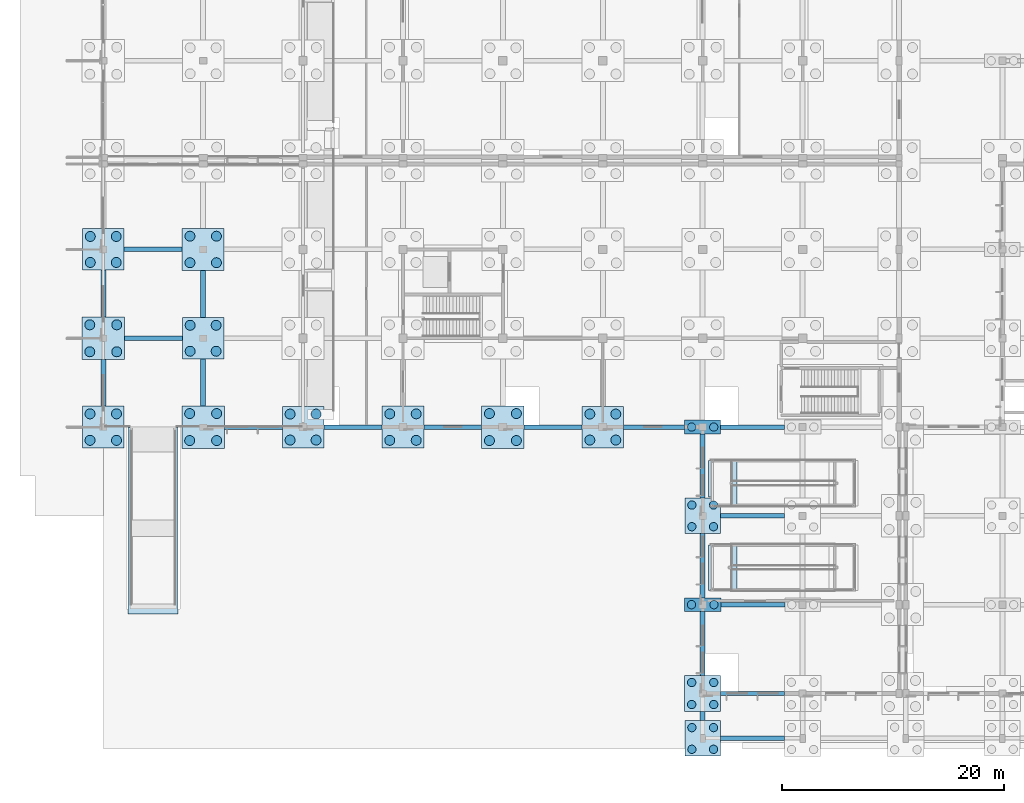
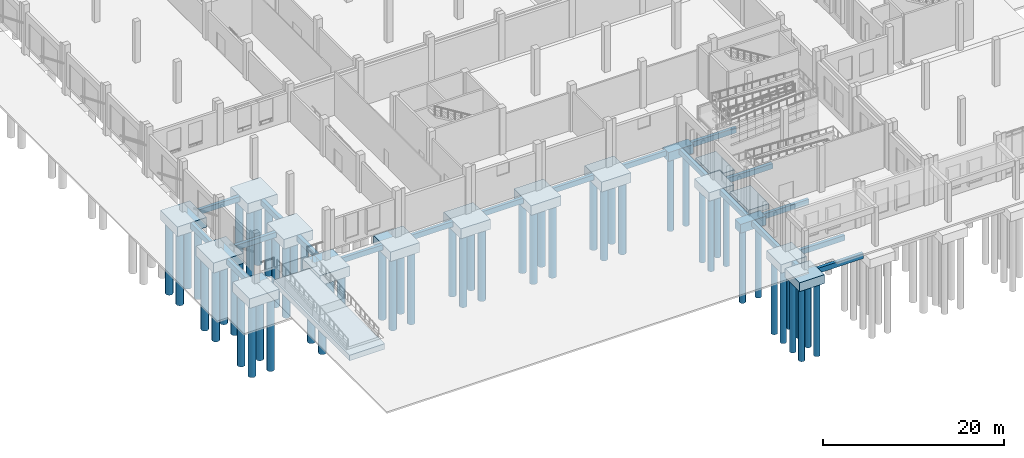
# One storey, part 1 of 99: 56 piles, 38 footings.
"""IFC4 building model written with IfcOpenShell, lengths in metres."""

from ifc_helpers import new_model, si_unit, direction, frame, origin, origin_2d, place, context, subcontext, project, spatial, polyline, rectangle, circle, outline, extrude, material, layer, layer_set, material_profile, profile_set, type_object, element, save


model = new_model("IFC4")

# Units and contexts
model_context = context("Model", 3, precision=1e-05, world=origin(), true_north=direction((0.0, 1.0)))
body_context = subcontext(model_context, "Body", "Model", "MODEL_VIEW")
ifc_project = project(units=[si_unit("LENGTHUNIT", "METRE"), si_unit("AREAUNIT", "SQUARE_METRE"), si_unit("VOLUMEUNIT", "CUBIC_METRE"), si_unit("PLANEANGLEUNIT", "RADIAN"), si_unit("MASSUNIT", "GRAM", prefix="KILO")], contexts=[model_context])

# Site, building, storey
site_placement = place(None, origin())
site = spatial("IfcSite", under=ifc_project, at=site_placement, CompositionType="ELEMENT")
building_placement = place(site_placement, origin())
building = spatial("IfcBuilding", under=site, at=building_placement, Name="Zacnel Wholesale Market", CompositionType="ELEMENT")
storey_placement = place(building_placement, origin())
storey = spatial("IfcBuildingStorey", under=building, at=storey_placement, Name="L01", CompositionType="ELEMENT", Elevation=0.0)

# Footings
ifc_material_1 = material(Name="Concrete C35/45", Category="concrete")
ifc_material_profile_1 = material_profile(ifc_material_1, rectangle(XDim=0.39990234375, YDim=0.699951171875, at=origin_2d()), Name="CT 400x700")
ifc_profile_set_1 = profile_set([ifc_material_profile_1], Name="Concrete C35/45")
footing_type_1 = type_object("IfcFootingType", Name="FTG-CT400X700", PredefinedType="FOOTING_BEAM", material=ifc_profile_set_1)
footing_1_placement = place(storey_placement, frame((55.60009765625, -4.050048828125, -0.85009765625), z_axis=(1.0, 0.0, 0.0), x_axis=(0.0, 1.0, 0.0)))
element("IfcFooting", 1, at=footing_1_placement, inside=storey, type_object=footing_type_1, Name="Ground tie beam CT-X-0246", PredefinedType="FOOTING_BEAM", context=body_context, shape_type="SweptSolid", body=[
    extrude(rectangle(XDim=0.39990234375, YDim=0.699951171875, at=origin_2d()), origin(), (0.0, 0.0, 1.0), 5.77978515625),
])
footing_2_placement = place(storey_placement, frame((55.6201171875, 0.0, -0.85009765625), z_axis=(1.0, 0.0, 0.0), x_axis=(0.0, 1.0, 0.0)))
element("IfcFooting", 2, at=footing_2_placement, inside=storey, type_object=footing_type_1, Name="Ground tie beam CT-X-0251", PredefinedType="FOOTING_BEAM", context=body_context, shape_type="SweptSolid", body=[
    extrude(rectangle(XDim=0.39990234375, YDim=0.699951171875, at=origin_2d()), origin(), (0.0, 0.0, 1.0), 5.744873046875),
])
footing_3_placement = place(storey_placement, frame((55.635009765625, 8.0, -0.85009765625), z_axis=(1.0, 0.0, 0.0), x_axis=(0.0, 1.0, 0.0)))
element("IfcFooting", 3, at=footing_3_placement, inside=storey, type_object=footing_type_1, Name="Ground tie beam CT-X-0267", PredefinedType="FOOTING_BEAM", context=body_context, shape_type="SweptSolid", body=[
    extrude(rectangle(XDim=0.39990234375, YDim=0.699951171875, at=origin_2d()), origin(), (0.0, 0.0, 1.0), 5.764892578125),
])
footing_4_placement = place(storey_placement, frame((55.60009765625, 16.0, -0.85009765625), z_axis=(1.0, 0.0, 0.0), x_axis=(0.0, 1.0, 0.0)))
element("IfcFooting", 4, at=footing_4_placement, inside=storey, type_object=footing_type_1, Name="Ground tie beam CT-X-0283", PredefinedType="FOOTING_BEAM", context=body_context, shape_type="SweptSolid", body=[
    extrude(rectangle(XDim=0.39990234375, YDim=0.699951171875, at=origin_2d()), origin(), (0.0, 0.0, 1.0), 5.77978515625),
])
footing_5_placement = place(storey_placement, frame((10.9150390625, 24.0, -0.85009765625), z_axis=(1.0, 0.0, 0.0), x_axis=(0.0, 1.0, 0.0)))
element("IfcFooting", 5, at=footing_5_placement, inside=storey, type_object=footing_type_1, Name="Ground tie beam CT-X-0298", PredefinedType="FOOTING_BEAM", context=body_context, shape_type="SweptSolid", body=[
    extrude(rectangle(XDim=0.39990234375, YDim=0.699951171875, at=origin_2d()), origin(), (0.0, 0.0, 1.0), 5.21484375),
])
footing_6_placement = place(storey_placement, frame((19.8701171875, 24.0, -0.85009765625), z_axis=(1.0, 0.0, 0.0), x_axis=(0.0, 1.0, 0.0)))
element("IfcFooting", 6, at=footing_6_placement, inside=storey, type_object=footing_type_1, Name="Ground tie beam CT-X-0299", PredefinedType="FOOTING_BEAM", context=body_context, shape_type="SweptSolid", body=[
    extrude(rectangle(XDim=0.39990234375, YDim=0.699951171875, at=origin_2d()), origin(), (0.0, 0.0, 1.0), 5.239990234375),
])
footing_7_placement = place(storey_placement, frame((28.889892578125, 24.0, -0.85009765625), z_axis=(1.0, 0.0, 0.0), x_axis=(0.0, 1.0, 0.0)))
element("IfcFooting", 7, at=footing_7_placement, inside=storey, type_object=footing_type_1, Name="Ground tie beam CT-X-0300", PredefinedType="FOOTING_BEAM", context=body_context, shape_type="SweptSolid", body=[
    extrude(rectangle(XDim=0.39990234375, YDim=0.699951171875, at=origin_2d()), origin(), (0.0, 0.0, 1.0), 5.195068359375),
])
footing_8_placement = place(storey_placement, frame((37.9150390625, 24.0, -0.85009765625), z_axis=(1.0, 0.0, 0.0), x_axis=(0.0, 1.0, 0.0)))
element("IfcFooting", 8, at=footing_8_placement, inside=storey, type_object=footing_type_1, Name="Ground tie beam CT-X-0301", PredefinedType="FOOTING_BEAM", context=body_context, shape_type="SweptSolid", body=[
    extrude(rectangle(XDim=0.39990234375, YDim=0.699951171875, at=origin_2d()), origin(), (0.0, 0.0, 1.0), 5.21484375),
])
footing_9_placement = place(storey_placement, frame((46.8701171875, 24.0, -0.85009765625), z_axis=(1.0, 0.0, 0.0), x_axis=(0.0, 1.0, 0.0)))
element("IfcFooting", 9, at=footing_9_placement, inside=storey, type_object=footing_type_1, Name="Ground tie beam CT-X-0302", PredefinedType="FOOTING_BEAM", context=body_context, shape_type="SweptSolid", body=[
    extrude(rectangle(XDim=0.39990234375, YDim=0.699951171875, at=origin_2d()), origin(), (0.0, 0.0, 1.0), 5.509765625),
])
footing_10_placement = place(storey_placement, frame((55.6201171875, 24.0, -0.85009765625), z_axis=(1.0, 0.0, 0.0), x_axis=(0.0, 1.0, 0.0)))
element("IfcFooting", 10, at=footing_10_placement, inside=storey, type_object=footing_type_1, Name="Ground tie beam CT-X-0303", PredefinedType="FOOTING_BEAM", context=body_context, shape_type="SweptSolid", body=[
    extrude(rectangle(XDim=0.39990234375, YDim=0.699951171875, at=origin_2d()), origin(), (0.0, 0.0, 1.0), 5.744873046875),
])
footing_11_placement = place(storey_placement, frame((1.9150390625, 32.0, -0.85009765625), z_axis=(1.0, 0.0, 0.0), x_axis=(0.0, 1.0, 0.0)))
element("IfcFooting", 11, at=footing_11_placement, inside=storey, type_object=footing_type_1, Name="Ground tie beam CT-X-0318", PredefinedType="FOOTING_BEAM", context=body_context, shape_type="SweptSolid", body=[
    extrude(rectangle(XDim=0.39990234375, YDim=0.699951171875, at=origin_2d()), origin(), (0.0, 0.0, 1.0), 5.21484375),
])
footing_12_placement = place(storey_placement, frame((1.8701171875, 40.0, -0.85009765625), z_axis=(1.0, 0.0, 0.0), x_axis=(0.0, 1.0, 0.0)))
element("IfcFooting", 12, at=footing_12_placement, inside=storey, type_object=footing_type_1, Name="Ground tie beam CT-X-0339", PredefinedType="FOOTING_BEAM", context=body_context, shape_type="SweptSolid", body=[
    extrude(rectangle(XDim=0.39990234375, YDim=0.699951171875, at=origin_2d()), origin(), (0.0, 0.0, 1.0), 5.239990234375),
])
ifc_material_2 = material(Name="Concrete C35/45", Category="concrete")
ifc_material_profile_2 = material_profile(ifc_material_2, rectangle(XDim=0.449951171875, YDim=0.75, at=origin_2d()), Name="CT 450x750")
ifc_profile_set_2 = profile_set([ifc_material_profile_2], Name="Concrete C35/45")
footing_type_2 = type_object("IfcFootingType", Name="FTG-CT450X750", PredefinedType="FOOTING_BEAM", material=ifc_profile_set_2)
footing_13_placement = place(storey_placement, frame((0.0, 25.889892578125, -0.875), z_axis=(0.0, 1.0, 0.0), x_axis=(-1.0, 0.0, 0.0)))
element("IfcFooting", 13, at=footing_13_placement, inside=storey, type_object=footing_type_2, Name="Ground tie beam CT-Y-0001", PredefinedType="FOOTING_BEAM", context=body_context, shape_type="SweptSolid", body=[
    extrude(rectangle(XDim=0.449951171875, YDim=0.75, at=origin_2d()), origin(), (0.0, 0.0, 1.0), 4.195068359375),
])
for number, where, z_axis, x_axis, name in (
    (14, (0.0, 33.9150390625, -0.875), (0.0, 1.0, 0.0), (-1.0, 0.0, 0.0), "Ground tie beam CT-Y-0002"),
    (15, (9.0, 25.9150390625, -0.875), (0.0, 1.0, 0.0), (-1.0, 0.0, 0.0), "Ground tie beam CT-Y-0013"),
):
    element("IfcFooting", number, at=place(storey_placement, frame(where, z_axis=z_axis, x_axis=x_axis)), inside=storey, type_object=footing_type_2, Name=name, PredefinedType="FOOTING_BEAM", context=body_context, shape_type="SweptSolid", body=[
        extrude(rectangle(XDim=0.449951171875, YDim=0.75, at=origin_2d()), origin(), (0.0, 0.0, 1.0), 4.21484375),
    ])
footing_14_placement = place(storey_placement, frame((9.0, 33.8701171875, -0.875), z_axis=(0.0, 1.0, 0.0), x_axis=(-1.0, 0.0, 0.0)))
element("IfcFooting", 16, at=footing_14_placement, inside=storey, type_object=footing_type_2, Name="Ground tie beam CT-Y-0014", PredefinedType="FOOTING_BEAM", context=body_context, shape_type="SweptSolid", body=[
    extrude(rectangle(XDim=0.449951171875, YDim=0.75, at=origin_2d()), origin(), (0.0, 0.0, 1.0), 4.239990234375),
])
footing_15_placement = place(storey_placement, frame((54.0, -2.449951171875, -0.875), z_axis=(0.0, 1.0, 0.0), x_axis=(-1.0, 0.0, 0.0)))
element("IfcFooting", 17, at=footing_15_placement, inside=storey, type_object=footing_type_2, Name="Ground tie beam CT-Y-0057", PredefinedType="FOOTING_BEAM", context=body_context, shape_type="SweptSolid", body=[
    extrude(rectangle(XDim=0.449951171875, YDim=0.75, at=origin_2d()), origin(), (0.0, 0.0, 1.0), 0.829833984375),
])
footing_16_placement = place(storey_placement, frame((54.0, 1.6201171875, -0.875), z_axis=(0.0, 1.0, 0.0), x_axis=(-1.0, 0.0, 0.0)))
element("IfcFooting", 18, at=footing_16_placement, inside=storey, type_object=footing_type_2, Name="Ground tie beam CT-Y-0058", PredefinedType="FOOTING_BEAM", context=body_context, shape_type="SweptSolid", body=[
    extrude(rectangle(XDim=0.449951171875, YDim=0.75, at=origin_2d()), origin(), (0.0, 0.0, 1.0), 5.7548828125),
])
for number, where, z_axis, x_axis, name in (
    (19, (54.0, 8.625, -0.875), (0.0, 1.0, 0.0), (-1.0, 0.0, 0.0), "Ground tie beam CT-Y-0059"),
    (20, (54.0, 17.60009765625, -0.875), (0.0, 1.0, 0.0), (-1.0, 0.0, 0.0), "Ground tie beam CT-Y-0060"),
):
    element("IfcFooting", number, at=place(storey_placement, frame(where, z_axis=z_axis, x_axis=x_axis)), inside=storey, type_object=footing_type_2, Name=name, PredefinedType="FOOTING_BEAM", context=body_context, shape_type="SweptSolid", body=[
        extrude(rectangle(XDim=0.449951171875, YDim=0.75, at=origin_2d()), origin(), (0.0, 0.0, 1.0), 5.77490234375),
    ])
ifc_material_3 = material(Name="Concrete C35/45", Category="concrete")
ifc_layer_1 = layer(ifc_material_3, 1.14990234375)
ifc_layer_set_1 = layer_set([ifc_layer_1], Name="Concrete C35/45")
footing_type_3 = type_object("IfcFootingType", Name="FTG-PC-3200X3200X1150", PredefinedType="PILE_CAP", material=ifc_layer_set_1)
footing_17_placement = place(storey_placement, frame((54.0, 16.0, -1.64990234375), z_axis=(0.0, 0.0, 1.0), x_axis=(1.0, 0.0, 0.0)))
element("IfcFooting", 21, at=footing_17_placement, inside=storey, type_object=footing_type_3, Name="Pile cap PC-09 (STR-PC-081)", PredefinedType="PILE_CAP", context=body_context, shape_type="SweptSolid", body=[
    extrude(rectangle(XDim=3.199951171875, YDim=3.199951171875, at=origin_2d()), origin(), (0.0, 0.0, 1.0), 1.14990234375),
])
ifc_material_4 = material(Name="Concrete C35/45", Category="concrete")
ifc_layer_2 = layer(ifc_material_4, 1.199951171875)
ifc_layer_set_2 = layer_set([ifc_layer_2], Name="Concrete C35/45")
footing_type_4 = type_object("IfcFootingType", Name="FTG-PC-3200X3200X1200", PredefinedType="PILE_CAP", material=ifc_layer_set_2)
footing_18_placement = place(storey_placement, frame((54.0, -4.050048828125, -1.7001953125), z_axis=(0.0, 0.0, 1.0), x_axis=(1.0, 0.0, 0.0)))
element("IfcFooting", 22, at=footing_18_placement, inside=storey, type_object=footing_type_4, Name="Pile cap PC-21 (STR-PC-R2-BV4W-01)", PredefinedType="PILE_CAP", context=body_context, shape_type="SweptSolid", body=[
    extrude(rectangle(XDim=3.199951171875, YDim=3.199951171875, at=origin_2d()), origin(), (0.0, 0.0, 1.0), 1.199951171875),
])
ifc_material_5 = material(Name="Concrete C35/45", Category="concrete")
ifc_layer_3 = layer(ifc_material_5, 1.199951171875)
ifc_layer_set_3 = layer_set([ifc_layer_3], Name="Concrete C35/45")
footing_type_5 = type_object("IfcFootingType", Name="FTG-PC-3240X1250X1200", PredefinedType="PILE_CAP", material=ifc_layer_set_3)
footing_19_placement = place(storey_placement, frame((54.0, 24.0, -1.7001953125), z_axis=(0.0, 0.0, 1.0), x_axis=(1.0, 0.0, 0.0)))
element("IfcFooting", 23, at=footing_19_placement, inside=storey, type_object=footing_type_5, Name="Pile cap PC-10 (STR-PC-082)", PredefinedType="PILE_CAP", context=body_context, shape_type="SweptSolid", body=[
    extrude(rectangle(XDim=3.239990234375, YDim=1.25, at=origin_2d()), origin(), (0.0, 0.0, 1.0), 1.199951171875),
])
ifc_material_6 = material(Name="Concrete C35/45", Category="concrete")
ifc_layer_4 = layer(ifc_material_6, 1.14990234375)
ifc_layer_set_4 = layer_set([ifc_layer_4], Name="Concrete C35/45")
footing_type_6 = type_object("IfcFootingType", Name="FTG-PC-3240X3240X1150", PredefinedType="PILE_CAP", material=ifc_layer_set_4)
footing_20_placement = place(storey_placement, frame((54.0, 0.0, -1.64990234375), z_axis=(0.0, 0.0, 1.0), x_axis=(1.0, 0.0, 0.0)))
element("IfcFooting", 24, at=footing_20_placement, inside=storey, type_object=footing_type_6, Name="Pile cap PC-07 (STR-PC-079)", PredefinedType="PILE_CAP", context=body_context, shape_type="SweptSolid", body=[
    extrude(rectangle(XDim=3.239990234375, YDim=3.239990234375, at=origin_2d()), origin(), (0.0, 0.0, 1.0), 1.14990234375),
])
ifc_material_7 = material(Name="Concrete C35/45", Category="concrete")
ifc_layer_5 = layer(ifc_material_7, 1.199951171875)
ifc_layer_set_5 = layer_set([ifc_layer_5], Name="Concrete C35/45")
footing_type_7 = type_object("IfcFootingType", Name="FTG-PC-3270X1250X1200", PredefinedType="PILE_CAP", material=ifc_layer_set_5)
footing_21_placement = place(storey_placement, frame((54.0, 8.0, -1.7001953125), z_axis=(0.0, 0.0, 1.0), x_axis=(1.0, 0.0, 0.0)))
element("IfcFooting", 25, at=footing_21_placement, inside=storey, type_object=footing_type_7, Name="Pile cap PC-08 (STR-PC-080)", PredefinedType="PILE_CAP", context=body_context, shape_type="SweptSolid", body=[
    extrude(rectangle(XDim=3.27001953125, YDim=1.25, at=origin_2d()), origin(), (0.0, 0.0, 1.0), 1.199951171875),
])
ifc_material_8 = material(Name="Concrete C35/45", Category="concrete")
ifc_layer_6 = layer(ifc_material_8, 1.300048828125)
ifc_layer_set_6 = layer_set([ifc_layer_6], Name="Concrete C35/45")
footing_type_8 = type_object("IfcFootingType", Name="FTG-PC-3740X3740X1300", PredefinedType="PILE_CAP", material=ifc_layer_set_6)
for number, where, z_axis, x_axis, name in (
    (26, (0.0, 40.0, -1.7998046875), (0.0, 0.0, 1.0), (1.0, 0.0, 0.0), "Pile cap PC-03 (STR-PC-003)"),
    (27, (9.0, 32.0, -1.7998046875), (0.0, 0.0, 1.0), (1.0, 0.0, 0.0), "Pile cap PC-03 (STR-PC-015)"),
    (28, (18.0, 24.0, -1.7998046875), (0.0, 0.0, 1.0), (1.0, 0.0, 0.0), "Pile cap PC-03 (STR-PC-027)"),
):
    element("IfcFooting", number, at=place(storey_placement, frame(where, z_axis=z_axis, x_axis=x_axis)), inside=storey, type_object=footing_type_8, Name=name, PredefinedType="PILE_CAP", context=body_context, shape_type="SweptSolid", body=[
        extrude(rectangle(XDim=3.739990234375, YDim=3.739990234375, at=origin_2d()), origin(), (0.0, 0.0, 1.0), 1.300048828125),
    ])
ifc_material_9 = material(Name="Concrete C35/45", Category="concrete")
ifc_layer_7 = layer(ifc_material_9, 1.35009765625)
ifc_layer_set_7 = layer_set([ifc_layer_7], Name="Concrete C35/45")
footing_type_9 = type_object("IfcFootingType", Name="FTG-PC-3740X3740X1350", PredefinedType="PILE_CAP", material=ifc_layer_set_7)
footing_22_placement = place(storey_placement, frame((45.0, 24.0, -1.85009765625), z_axis=(0.0, 0.0, 1.0), x_axis=(1.0, 0.0, 0.0)))
element("IfcFooting", 29, at=footing_22_placement, inside=storey, type_object=footing_type_9, Name="Pile cap PC-06 (STR-PC-066)", PredefinedType="PILE_CAP", context=body_context, shape_type="SweptSolid", body=[
    extrude(rectangle(XDim=3.739990234375, YDim=3.739990234375, at=origin_2d()), origin(), (0.0, 0.0, 1.0), 1.35009765625),
])
ifc_material_10 = material(Name="Concrete C35/45", Category="concrete")
ifc_layer_8 = layer(ifc_material_10, 1.300048828125)
ifc_layer_set_8 = layer_set([ifc_layer_8], Name="Concrete C35/45")
footing_type_10 = type_object("IfcFootingType", Name="FTG-PC-3780X3780X1300", PredefinedType="PILE_CAP", material=ifc_layer_set_8)
footing_23_placement = place(storey_placement, frame((0.0, 24.0, -1.7998046875), z_axis=(0.0, 0.0, 1.0), x_axis=(1.0, 0.0, 0.0)))
element("IfcFooting", 30, at=footing_23_placement, inside=storey, type_object=footing_type_10, Name="Pile cap PC-01 (STR-PC-001)", PredefinedType="PILE_CAP", context=body_context, shape_type="SweptSolid", body=[
    extrude(rectangle(XDim=3.780029296875, YDim=3.780029296875, at=origin_2d()), origin(), (0.0, 0.0, 1.0), 1.300048828125),
])
ifc_material_11 = material(Name="Concrete C35/45", Category="concrete")
ifc_layer_9 = layer(ifc_material_11, 1.35009765625)
ifc_layer_set_9 = layer_set([ifc_layer_9], Name="Concrete C35/45")
footing_type_11 = type_object("IfcFootingType", Name="FTG-PC-3780X3780X1350", PredefinedType="PILE_CAP", material=ifc_layer_set_9)
for number, where, z_axis, x_axis, name in (
    (31, (9.0, 40.0, -1.85009765625), (0.0, 0.0, 1.0), (1.0, 0.0, 0.0), "Pile cap PC-04 (STR-PC-016)"),
    (32, (27.0, 24.0, -1.85009765625), (0.0, 0.0, 1.0), (1.0, 0.0, 0.0), "Pile cap PC-04 (STR-PC-040)"),
):
    element("IfcFooting", number, at=place(storey_placement, frame(where, z_axis=z_axis, x_axis=x_axis)), inside=storey, type_object=footing_type_11, Name=name, PredefinedType="PILE_CAP", context=body_context, shape_type="SweptSolid", body=[
        extrude(rectangle(XDim=3.780029296875, YDim=3.780029296875, at=origin_2d()), origin(), (0.0, 0.0, 1.0), 1.35009765625),
    ])
ifc_material_12 = material(Name="Concrete C35/45", Category="concrete")
ifc_layer_10 = layer(ifc_material_12, 1.300048828125)
ifc_layer_set_10 = layer_set([ifc_layer_10], Name="Concrete C35/45")
footing_type_12 = type_object("IfcFootingType", Name="FTG-PC-3830X3830X1300", PredefinedType="PILE_CAP", material=ifc_layer_set_10)
footing_24_placement = place(storey_placement, frame((36.0, 24.0, -1.7998046875), z_axis=(0.0, 0.0, 1.0), x_axis=(1.0, 0.0, 0.0)))
element("IfcFooting", 33, at=footing_24_placement, inside=storey, type_object=footing_type_12, Name="Pile cap PC-05 (STR-PC-053)", PredefinedType="PILE_CAP", context=body_context, shape_type="SweptSolid", body=[
    extrude(rectangle(XDim=3.830078125, YDim=3.830078125, at=origin_2d()), origin(), (0.0, 0.0, 1.0), 1.300048828125),
])
ifc_material_13 = material(Name="Concrete C35/45", Category="concrete")
ifc_layer_11 = layer(ifc_material_13, 1.35009765625)
ifc_layer_set_11 = layer_set([ifc_layer_11], Name="Concrete C35/45")
footing_type_13 = type_object("IfcFootingType", Name="FTG-PC-3830X3830X1350", PredefinedType="PILE_CAP", material=ifc_layer_set_11)
for number, where, z_axis, x_axis, name in (
    (34, (0.0, 32.0, -1.85009765625), (0.0, 0.0, 1.0), (1.0, 0.0, 0.0), "Pile cap PC-02 (STR-PC-002)"),
    (35, (9.0, 24.0, -1.85009765625), (0.0, 0.0, 1.0), (1.0, 0.0, 0.0), "Pile cap PC-02 (STR-PC-014)"),
):
    element("IfcFooting", number, at=place(storey_placement, frame(where, z_axis=z_axis, x_axis=x_axis)), inside=storey, type_object=footing_type_13, Name=name, PredefinedType="PILE_CAP", context=body_context, shape_type="SweptSolid", body=[
        extrude(rectangle(XDim=3.830078125, YDim=3.830078125, at=origin_2d()), origin(), (0.0, 0.0, 1.0), 1.35009765625),
    ])
ifc_material_14 = material(Name="Concrete C35/45", Category="concrete")
ifc_layer_12 = layer(ifc_material_14, 0.85009765625)
ifc_layer_set_12 = layer_set([ifc_layer_12], Name="Concrete C35/45")
footing_type_14 = type_object("IfcFootingType", Name="FTG-STAIR-MAT-7800X6800", PredefinedType="PAD_FOOTING", material=ifc_layer_set_12)
footing_25_placement = place(storey_placement, frame((0.0, 0.0, -1.25)))
element("IfcFooting", 36, at=footing_25_placement, inside=storey, type_object=footing_type_14, Name="Vehicle access ramp RP-02 mat foundation", PredefinedType="PAD_FOOTING", context=body_context, shape_type="SweptSolid", body=[
    extrude(outline(polyline([(6.75, 7.14990234375), (6.75, 23.9599609375), (2.25, 23.9599609375), (2.25, 7.14990234375), (6.75, 7.14990234375)])), origin(), (0.0, 0.0, 1.0), 0.75),
])
footing_26_placement = place(storey_placement, frame((0.0, 0.0, -1.199951171875)))
element("IfcFooting", 37, at=footing_26_placement, inside=storey, type_object=footing_type_14, Name="Accessible ramp RP-03 (RMP-PROM-1A) combined foundation W", PredefinedType="PAD_FOOTING", context=body_context, shape_type="SweptSolid", body=[
    extrude(outline(polyline([(54.5, 9.300048828125), (57.10009765625, 9.300048828125), (57.10009765625, 13.39990234375), (54.5, 13.39990234375), (54.5, 9.300048828125)])), origin(), (0.0, 0.0, 1.0), 0.699951171875),
])
footing_27_placement = place(storey_placement, frame((0.0, 0.0, -1.199951171875)))
element("IfcFooting", 38, at=footing_27_placement, inside=storey, type_object=footing_type_14, Name="Accessible ramp RP-03 (RMP-PROM-1B) combined foundation W", PredefinedType="PAD_FOOTING", context=body_context, shape_type="SweptSolid", body=[
    extrude(outline(polyline([(55.679931640625, 16.89990234375), (57.10009765625, 16.89990234375), (57.10009765625, 21.0), (54.5, 21.0), (54.5, 17.679931640625), (55.679931640625, 17.679931640625), (55.679931640625, 16.89990234375)])), origin(), (0.0, 0.0, 1.0), 0.699951171875),
])

# Piles
ifc_material_15 = material(Name="Concrete C35/45", Category="concrete")
ifc_material_profile_3 = material_profile(ifc_material_15, circle(Radius=0.375, at=origin_2d()), Name="BORED PILE D750")
ifc_profile_set_3 = profile_set([ifc_material_profile_3], Name="Concrete C35/45")
pile_type_1 = type_object("IfcPileType", Name="PILE-BORED-750", PredefinedType="BORED", material=ifc_profile_set_3)
for number, where, z_axis, x_axis, name in (
    (39, (53.006591796875, -0.993408203125, -1.550048828125), (0.0, 0.0, -1.0), (1.0, 0.0, 0.0), "Bored pile STR-PILE-079-01"),
    (40, (53.006591796875, 0.993408203125, -1.550048828125), (0.0, 0.0, -1.0), (1.0, 0.0, 0.0), "Bored pile STR-PILE-079-02"),
    (41, (54.993408203125, -0.993408203125, -1.550048828125), (0.0, 0.0, -1.0), (1.0, 0.0, 0.0), "Bored pile STR-PILE-079-03"),
    (42, (54.993408203125, 0.993408203125, -1.550048828125), (0.0, 0.0, -1.0), (1.0, 0.0, 0.0), "Bored pile STR-PILE-079-04"),
):
    element("IfcPile", number, at=place(storey_placement, frame(where, z_axis=z_axis, x_axis=x_axis)), inside=storey, type_object=pile_type_1, Name=name, PredefinedType="BORED", context=body_context, shape_type="SweptSolid", body=[
        extrude(circle(Radius=0.375, at=origin_2d()), origin(), (0.0, 0.0, 1.0), 9.949951171875),
    ])
for number, where, z_axis, x_axis, name in (
    (43, (52.987548828125, 8.0, -1.60009765625), (0.0, 0.0, -1.0), (1.0, 0.0, 0.0), "Bored pile STR-PILE-080-01"),
    (44, (55.012451171875, 8.0, -1.60009765625), (0.0, 0.0, -1.0), (1.0, 0.0, 0.0), "Bored pile STR-PILE-080-02"),
):
    element("IfcPile", number, at=place(storey_placement, frame(where, z_axis=z_axis, x_axis=x_axis)), inside=storey, type_object=pile_type_1, Name=name, PredefinedType="BORED", context=body_context, shape_type="SweptSolid", body=[
        extrude(circle(Radius=0.375, at=origin_2d()), origin(), (0.0, 0.0, 1.0), 9.89990234375),
    ])
for number, where, z_axis, x_axis, name in (
    (45, (53.02490234375, 15.02490234375, -1.550048828125), (0.0, 0.0, -1.0), (1.0, 0.0, 0.0), "Bored pile STR-PILE-081-01"),
    (46, (53.02490234375, 16.97509765625, -1.550048828125), (0.0, 0.0, -1.0), (1.0, 0.0, 0.0), "Bored pile STR-PILE-081-02"),
    (47, (54.97509765625, 15.02490234375, -1.550048828125), (0.0, 0.0, -1.0), (1.0, 0.0, 0.0), "Bored pile STR-PILE-081-03"),
    (48, (54.97509765625, 16.97509765625, -1.550048828125), (0.0, 0.0, -1.0), (1.0, 0.0, 0.0), "Bored pile STR-PILE-081-04"),
):
    element("IfcPile", number, at=place(storey_placement, frame(where, z_axis=z_axis, x_axis=x_axis)), inside=storey, type_object=pile_type_1, Name=name, PredefinedType="BORED", context=body_context, shape_type="SweptSolid", body=[
        extrude(circle(Radius=0.375, at=origin_2d()), origin(), (0.0, 0.0, 1.0), 9.949951171875),
    ])
for number, where, z_axis, x_axis, name in (
    (49, (53.006591796875, 24.0, -1.60009765625), (0.0, 0.0, -1.0), (1.0, 0.0, 0.0), "Bored pile STR-PILE-082-01"),
    (50, (54.993408203125, 24.0, -1.60009765625), (0.0, 0.0, -1.0), (1.0, 0.0, 0.0), "Bored pile STR-PILE-082-02"),
    (51, (53.02490234375, -5.02490234375, -1.60009765625), (0.0, 0.0, -1.0), (1.0, 0.0, 0.0), "Bored pile STR-PILE-R2-BV4W-01-01"),
    (52, (53.02490234375, -3.074951171875, -1.60009765625), (0.0, 0.0, -1.0), (1.0, 0.0, 0.0), "Bored pile STR-PILE-R2-BV4W-01-02"),
    (53, (54.97509765625, -5.02490234375, -1.60009765625), (0.0, 0.0, -1.0), (1.0, 0.0, 0.0), "Bored pile STR-PILE-R2-BV4W-01-03"),
    (54, (54.97509765625, -3.074951171875, -1.60009765625), (0.0, 0.0, -1.0), (1.0, 0.0, 0.0), "Bored pile STR-PILE-R2-BV4W-01-04"),
):
    element("IfcPile", number, at=place(storey_placement, frame(where, z_axis=z_axis, x_axis=x_axis)), inside=storey, type_object=pile_type_1, Name=name, PredefinedType="BORED", context=body_context, shape_type="SweptSolid", body=[
        extrude(circle(Radius=0.375, at=origin_2d()), origin(), (0.0, 0.0, 1.0), 9.89990234375),
    ])
ifc_material_16 = material(Name="Concrete C35/45", Category="concrete")
ifc_material_profile_4 = material_profile(ifc_material_16, circle(Radius=0.449951171875, at=origin_2d()), Name="BORED PILE D900")
ifc_profile_set_4 = profile_set([ifc_material_profile_4], Name="Concrete C35/45")
pile_type_2 = type_object("IfcPileType", Name="PILE-BORED-900", PredefinedType="BORED", material=ifc_profile_set_4)
for number, where, z_axis, x_axis, name in (
    (55, (-1.1923828125, 22.8076171875, -1.699951171875), (0.0, 0.0, -1.0), (1.0, 0.0, 0.0), "Bored pile STR-PILE-001-01"),
    (56, (-1.1923828125, 25.1923828125, -1.699951171875), (0.0, 0.0, -1.0), (1.0, 0.0, 0.0), "Bored pile STR-PILE-001-02"),
    (57, (1.1923828125, 22.8076171875, -1.699951171875), (0.0, 0.0, -1.0), (1.0, 0.0, 0.0), "Bored pile STR-PILE-001-03"),
    (58, (1.1923828125, 25.1923828125, -1.699951171875), (0.0, 0.0, -1.0), (1.0, 0.0, 0.0), "Bored pile STR-PILE-001-04"),
):
    element("IfcPile", number, at=place(storey_placement, frame(where, z_axis=z_axis, x_axis=x_axis)), inside=storey, type_object=pile_type_2, Name=name, PredefinedType="BORED", context=body_context, shape_type="SweptSolid", body=[
        extrude(circle(Radius=0.449951171875, at=origin_2d()), origin(), (0.0, 0.0, 1.0), 9.800048828125),
    ])
for number, where, z_axis, x_axis, name in (
    (59, (-1.215087890625, 30.784912109375, -1.75), (0.0, 0.0, -1.0), (1.0, 0.0, 0.0), "Bored pile STR-PILE-002-01"),
    (60, (-1.215087890625, 33.215087890625, -1.75), (0.0, 0.0, -1.0), (1.0, 0.0, 0.0), "Bored pile STR-PILE-002-02"),
    (61, (1.215087890625, 30.784912109375, -1.75), (0.0, 0.0, -1.0), (1.0, 0.0, 0.0), "Bored pile STR-PILE-002-03"),
    (62, (1.215087890625, 33.215087890625, -1.75), (0.0, 0.0, -1.0), (1.0, 0.0, 0.0), "Bored pile STR-PILE-002-04"),
):
    element("IfcPile", number, at=place(storey_placement, frame(where, z_axis=z_axis, x_axis=x_axis)), inside=storey, type_object=pile_type_2, Name=name, PredefinedType="BORED", context=body_context, shape_type="SweptSolid", body=[
        extrude(circle(Radius=0.449951171875, at=origin_2d()), origin(), (0.0, 0.0, 1.0), 9.75),
    ])
for number, where, z_axis, x_axis, name in (
    (63, (-1.169921875, 38.830078125, -1.699951171875), (0.0, 0.0, -1.0), (1.0, 0.0, 0.0), "Bored pile STR-PILE-003-01"),
    (64, (-1.169921875, 41.169921875, -1.699951171875), (0.0, 0.0, -1.0), (1.0, 0.0, 0.0), "Bored pile STR-PILE-003-02"),
    (65, (1.169921875, 38.830078125, -1.699951171875), (0.0, 0.0, -1.0), (1.0, 0.0, 0.0), "Bored pile STR-PILE-003-03"),
    (66, (1.169921875, 41.169921875, -1.699951171875), (0.0, 0.0, -1.0), (1.0, 0.0, 0.0), "Bored pile STR-PILE-003-04"),
):
    element("IfcPile", number, at=place(storey_placement, frame(where, z_axis=z_axis, x_axis=x_axis)), inside=storey, type_object=pile_type_2, Name=name, PredefinedType="BORED", context=body_context, shape_type="SweptSolid", body=[
        extrude(circle(Radius=0.449951171875, at=origin_2d()), origin(), (0.0, 0.0, 1.0), 9.800048828125),
    ])
for number, where, z_axis, x_axis, name in (
    (67, (7.784912109375, 22.784912109375, -1.75), (0.0, 0.0, -1.0), (1.0, 0.0, 0.0), "Bored pile STR-PILE-014-01"),
    (68, (7.784912109375, 25.215087890625, -1.75), (0.0, 0.0, -1.0), (1.0, 0.0, 0.0), "Bored pile STR-PILE-014-02"),
    (69, (10.215087890625, 22.784912109375, -1.75), (0.0, 0.0, -1.0), (1.0, 0.0, 0.0), "Bored pile STR-PILE-014-03"),
    (70, (10.215087890625, 25.215087890625, -1.75), (0.0, 0.0, -1.0), (1.0, 0.0, 0.0), "Bored pile STR-PILE-014-04"),
):
    element("IfcPile", number, at=place(storey_placement, frame(where, z_axis=z_axis, x_axis=x_axis)), inside=storey, type_object=pile_type_2, Name=name, PredefinedType="BORED", context=body_context, shape_type="SweptSolid", body=[
        extrude(circle(Radius=0.449951171875, at=origin_2d()), origin(), (0.0, 0.0, 1.0), 9.75),
    ])
for number, where, z_axis, x_axis, name in (
    (71, (7.830078125, 30.830078125, -1.699951171875), (0.0, 0.0, -1.0), (1.0, 0.0, 0.0), "Bored pile STR-PILE-015-01"),
    (72, (7.830078125, 33.169921875, -1.699951171875), (0.0, 0.0, -1.0), (1.0, 0.0, 0.0), "Bored pile STR-PILE-015-02"),
    (73, (10.169921875, 30.830078125, -1.699951171875), (0.0, 0.0, -1.0), (1.0, 0.0, 0.0), "Bored pile STR-PILE-015-03"),
    (74, (10.169921875, 33.169921875, -1.699951171875), (0.0, 0.0, -1.0), (1.0, 0.0, 0.0), "Bored pile STR-PILE-015-04"),
):
    element("IfcPile", number, at=place(storey_placement, frame(where, z_axis=z_axis, x_axis=x_axis)), inside=storey, type_object=pile_type_2, Name=name, PredefinedType="BORED", context=body_context, shape_type="SweptSolid", body=[
        extrude(circle(Radius=0.449951171875, at=origin_2d()), origin(), (0.0, 0.0, 1.0), 9.800048828125),
    ])
for number, where, z_axis, x_axis, name in (
    (75, (7.8076171875, 38.8076171875, -1.75), (0.0, 0.0, -1.0), (1.0, 0.0, 0.0), "Bored pile STR-PILE-016-01"),
    (76, (7.8076171875, 41.1923828125, -1.75), (0.0, 0.0, -1.0), (1.0, 0.0, 0.0), "Bored pile STR-PILE-016-02"),
    (77, (10.1923828125, 38.8076171875, -1.75), (0.0, 0.0, -1.0), (1.0, 0.0, 0.0), "Bored pile STR-PILE-016-03"),
    (78, (10.1923828125, 41.1923828125, -1.75), (0.0, 0.0, -1.0), (1.0, 0.0, 0.0), "Bored pile STR-PILE-016-04"),
):
    element("IfcPile", number, at=place(storey_placement, frame(where, z_axis=z_axis, x_axis=x_axis)), inside=storey, type_object=pile_type_2, Name=name, PredefinedType="BORED", context=body_context, shape_type="SweptSolid", body=[
        extrude(circle(Radius=0.449951171875, at=origin_2d()), origin(), (0.0, 0.0, 1.0), 9.75),
    ])
for number, where, z_axis, x_axis, name in (
    (79, (16.830078125, 22.830078125, -1.699951171875), (0.0, 0.0, -1.0), (1.0, 0.0, 0.0), "Bored pile STR-PILE-027-01"),
    (80, (16.830078125, 25.169921875, -1.699951171875), (0.0, 0.0, -1.0), (1.0, 0.0, 0.0), "Bored pile STR-PILE-027-02"),
    (81, (19.169921875, 22.830078125, -1.699951171875), (0.0, 0.0, -1.0), (1.0, 0.0, 0.0), "Bored pile STR-PILE-027-03"),
    (82, (19.169921875, 25.169921875, -1.699951171875), (0.0, 0.0, -1.0), (1.0, 0.0, 0.0), "Bored pile STR-PILE-027-04"),
):
    element("IfcPile", number, at=place(storey_placement, frame(where, z_axis=z_axis, x_axis=x_axis)), inside=storey, type_object=pile_type_2, Name=name, PredefinedType="BORED", context=body_context, shape_type="SweptSolid", body=[
        extrude(circle(Radius=0.449951171875, at=origin_2d()), origin(), (0.0, 0.0, 1.0), 9.800048828125),
    ])
for number, where, z_axis, x_axis, name in (
    (83, (25.8076171875, 22.8076171875, -1.75), (0.0, 0.0, -1.0), (1.0, 0.0, 0.0), "Bored pile STR-PILE-040-01"),
    (84, (25.8076171875, 25.1923828125, -1.75), (0.0, 0.0, -1.0), (1.0, 0.0, 0.0), "Bored pile STR-PILE-040-02"),
    (85, (28.1923828125, 22.8076171875, -1.75), (0.0, 0.0, -1.0), (1.0, 0.0, 0.0), "Bored pile STR-PILE-040-03"),
    (86, (28.1923828125, 25.1923828125, -1.75), (0.0, 0.0, -1.0), (1.0, 0.0, 0.0), "Bored pile STR-PILE-040-04"),
):
    element("IfcPile", number, at=place(storey_placement, frame(where, z_axis=z_axis, x_axis=x_axis)), inside=storey, type_object=pile_type_2, Name=name, PredefinedType="BORED", context=body_context, shape_type="SweptSolid", body=[
        extrude(circle(Radius=0.449951171875, at=origin_2d()), origin(), (0.0, 0.0, 1.0), 9.75),
    ])
for number, where, z_axis, x_axis, name in (
    (87, (34.784912109375, 22.784912109375, -1.699951171875), (0.0, 0.0, -1.0), (1.0, 0.0, 0.0), "Bored pile STR-PILE-053-01"),
    (88, (34.784912109375, 25.215087890625, -1.699951171875), (0.0, 0.0, -1.0), (1.0, 0.0, 0.0), "Bored pile STR-PILE-053-02"),
    (89, (37.215087890625, 22.784912109375, -1.699951171875), (0.0, 0.0, -1.0), (1.0, 0.0, 0.0), "Bored pile STR-PILE-053-03"),
    (90, (37.215087890625, 25.215087890625, -1.699951171875), (0.0, 0.0, -1.0), (1.0, 0.0, 0.0), "Bored pile STR-PILE-053-04"),
):
    element("IfcPile", number, at=place(storey_placement, frame(where, z_axis=z_axis, x_axis=x_axis)), inside=storey, type_object=pile_type_2, Name=name, PredefinedType="BORED", context=body_context, shape_type="SweptSolid", body=[
        extrude(circle(Radius=0.449951171875, at=origin_2d()), origin(), (0.0, 0.0, 1.0), 9.800048828125),
    ])
for number, where, z_axis, x_axis, name in (
    (91, (43.830078125, 22.830078125, -1.75), (0.0, 0.0, -1.0), (1.0, 0.0, 0.0), "Bored pile STR-PILE-066-01"),
    (92, (43.830078125, 25.169921875, -1.75), (0.0, 0.0, -1.0), (1.0, 0.0, 0.0), "Bored pile STR-PILE-066-02"),
    (93, (46.169921875, 22.830078125, -1.75), (0.0, 0.0, -1.0), (1.0, 0.0, 0.0), "Bored pile STR-PILE-066-03"),
    (94, (46.169921875, 25.169921875, -1.75), (0.0, 0.0, -1.0), (1.0, 0.0, 0.0), "Bored pile STR-PILE-066-04"),
):
    element("IfcPile", number, at=place(storey_placement, frame(where, z_axis=z_axis, x_axis=x_axis)), inside=storey, type_object=pile_type_2, Name=name, PredefinedType="BORED", context=body_context, shape_type="SweptSolid", body=[
        extrude(circle(Radius=0.449951171875, at=origin_2d()), origin(), (0.0, 0.0, 1.0), 9.75),
    ])

save(model, "model.ifc")
